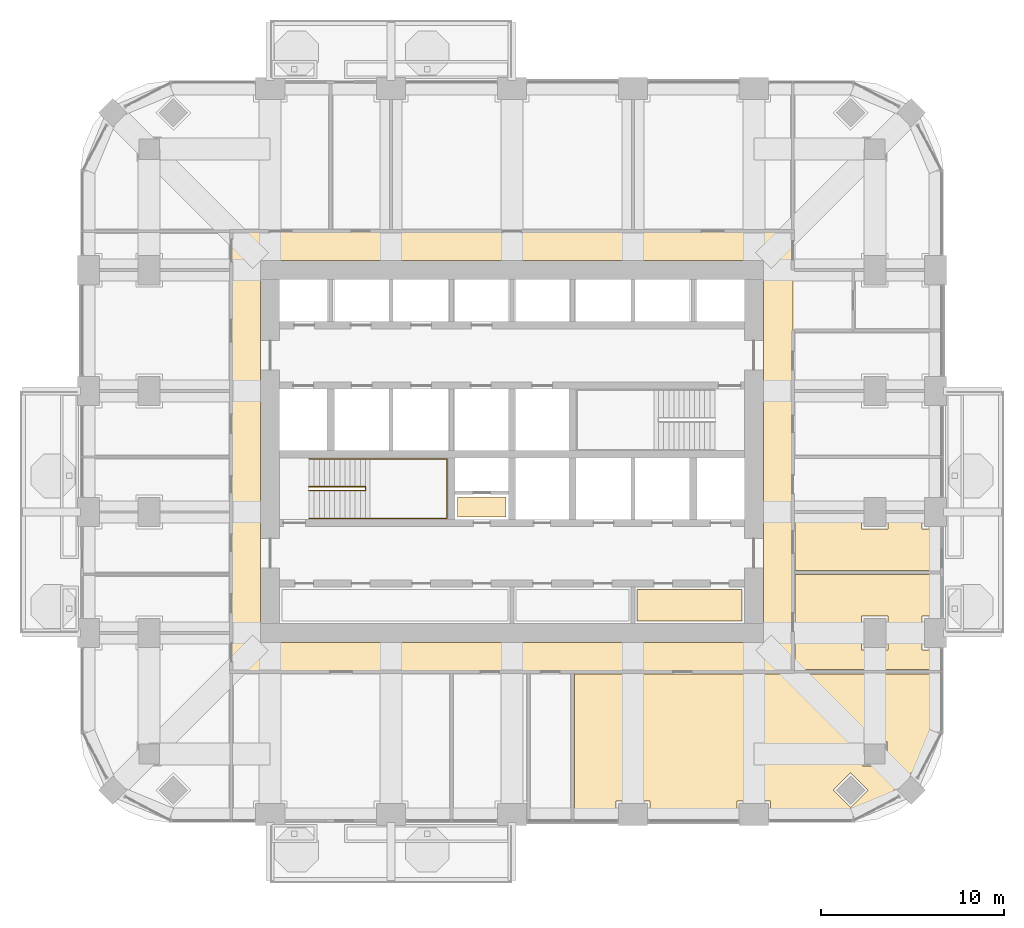
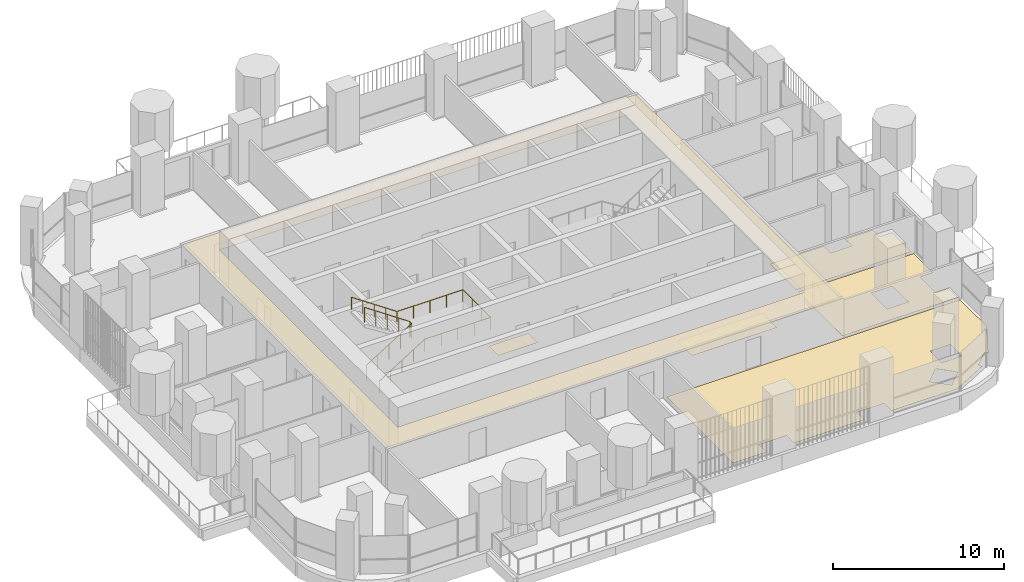
# One storey, part 17 of 20: 6 coverings, 2 railings.
"""IFC4 building model written with IfcOpenShell, lengths in metres."""

from ifc_helpers import new_model, si_unit, direction, frame, origin, place, context, subcontext, project, spatial, polyline, outline, extrude, material, layer, layer_set, type_object, element, save


model = new_model("IFC4")

# Units and contexts
model_context = context("Model", 3, precision=1e-05, world=origin(), true_north=direction((0.0, 1.0)))
body_context = subcontext(model_context, "Body", "Model", "MODEL_VIEW")
ifc_project = project(units=[si_unit("LENGTHUNIT", "METRE"), si_unit("AREAUNIT", "SQUARE_METRE"), si_unit("VOLUMEUNIT", "CUBIC_METRE"), si_unit("PLANEANGLEUNIT", "RADIAN"), si_unit("MASSUNIT", "GRAM", prefix="KILO")], contexts=[model_context])

# Site, building, storey
site_placement = place(None, origin())
site = spatial("IfcSite", under=ifc_project, at=site_placement, CompositionType="ELEMENT")
building_placement = place(site_placement, origin())
building = spatial("IfcBuilding", under=site, at=building_placement, Name="Cobogo Forest Laboratory Tower", CompositionType="ELEMENT")
storey_placement = place(building_placement, frame((0.0, 0.0, 193.5)))
storey = spatial("IfcBuildingStorey", under=building, at=storey_placement, Name="L44", CompositionType="ELEMENT", Elevation=193.5)

# Coverings
ifc_material_1 = material(Name="Mineral fibre ceiling tile", Category="ceiling")
ifc_layer_1 = layer(ifc_material_1, 0.02001953125)
ifc_layer_set_1 = layer_set([ifc_layer_1], Name="CL1 suspended ceiling")
covering_type_1 = type_object("IfcCoveringType", Name="CL1 suspended ceiling", PredefinedType="CEILING", material=ifc_layer_set_1)
covering_1_placement = place(storey_placement, frame((0.0, 0.0, 2.800048828125)))
element("IfcCovering", 1, at=covering_1_placement, inside=storey, type_object=covering_type_1, Name="Corridor ceiling L44", PredefinedType="CEILING", context=body_context, shape_type="SweptSolid", body=[
    extrude(outline(polyline([(11.074951171875, 11.074951171875), (11.074951171875, 35.125), (41.72509765625, 35.125), (41.72509765625, 11.074951171875), (11.074951171875, 11.074951171875)]), holes=[polyline([(40.125, 33.52490234375), (12.675048828125, 33.52490234375), (12.675048828125, 12.675048828125), (40.125, 12.675048828125), (40.125, 33.52490234375)])]), origin(), (0.0, 0.0, 1.0), 0.02001953125),
])
ifc_material_2 = material(Name="Carpet tile on raised access floor", Category="flooring")
ifc_layer_2 = layer(ifc_material_2, 0.008056640625)
ifc_layer_set_2 = layer_set([ifc_layer_2], Name="CT1 carpet tile floor 8")
covering_type_2 = type_object("IfcCoveringType", Name="CT1 carpet tile floor 8", PredefinedType="FLOORING", material=ifc_layer_set_2)
covering_2_placement = place(storey_placement, origin())
element("IfcCovering", 2, at=covering_2_placement, inside=storey, type_object=covering_type_2, Name="Carpet floor L44-04", PredefinedType="FLOORING", context=body_context, shape_type="SweptSolid", body=[
    extrude(outline(polyline([(49.64990234375, 10.955078125), (49.64990234375, 7.84912109375), (48.359619140625, 5.387939453125), (48.181884765625, 5.5654296875), (47.234375, 4.617919921875), (47.412109375, 4.440185546875), (44.95068359375, 3.14990234375), (40.52001953125, 3.14990234375), (40.52001953125, 4.02001953125), (38.679931640625, 4.02001953125), (38.679931640625, 3.14990234375), (33.919921875, 3.14990234375), (33.919921875, 4.02001953125), (32.080078125, 4.02001953125), (32.080078125, 3.14990234375), (29.820068359375, 3.14990234375), (29.820068359375, 10.955078125), (49.64990234375, 10.955078125)]), holes=[polyline([(45.530029296875, 5.929931640625), (46.8701171875, 5.929931640625), (46.8701171875, 7.27001953125), (45.530029296875, 7.27001953125), (45.530029296875, 5.929931640625)]), polyline([(44.882080078125, 3.67041015625), (45.82958984375, 4.617919921875), (44.882080078125, 5.5654296875), (43.9345703125, 4.617919921875), (44.882080078125, 3.67041015625)])]), origin(), (0.0, 0.0, 1.0), 0.008056640625),
])
covering_3_placement = place(storey_placement, origin())
element("IfcCovering", 3, at=covering_3_placement, inside=storey, type_object=covering_type_2, Name="Carpet floor L44-05", PredefinedType="FLOORING", context=body_context, shape_type="SweptSolid", body=[
    extrude(outline(polyline([(41.844970703125, 16.3798828125), (49.64990234375, 16.3798828125), (49.64990234375, 14.1201171875), (48.780029296875, 14.1201171875), (48.780029296875, 12.280029296875), (49.64990234375, 12.280029296875), (49.64990234375, 11.195068359375), (41.844970703125, 11.195068359375), (41.844970703125, 16.3798828125)]), holes=[polyline([(46.919921875, 12.280029296875), (46.919921875, 14.1201171875), (45.47998046875, 14.1201171875), (45.47998046875, 12.280029296875), (46.919921875, 12.280029296875)])]), origin(), (0.0, 0.0, 1.0), 0.008056640625),
])
covering_4_placement = place(storey_placement, origin())
element("IfcCovering", 4, at=covering_4_placement, inside=storey, type_object=covering_type_2, Name="Carpet floor L44-28", PredefinedType="FLOORING", context=body_context, shape_type="SweptSolid", body=[
    extrude(outline(polyline([(26.080078125, 19.52001953125), (23.419921875, 19.52001953125), (23.419921875, 20.6298828125), (26.080078125, 20.6298828125), (26.080078125, 19.52001953125)])), origin(), (0.0, 0.0, 1.0), 0.008056640625),
])
covering_5_placement = place(storey_placement, origin())
element("IfcCovering", 5, at=covering_5_placement, inside=storey, type_object=covering_type_2, Name="Carpet floor L44-33", PredefinedType="FLOORING", context=body_context, shape_type="SweptSolid", body=[
    extrude(outline(polyline([(38.955078125, 13.844970703125), (33.219970703125, 13.844970703125), (33.219970703125, 15.580078125), (38.955078125, 15.580078125), (38.955078125, 13.844970703125)])), origin(), (0.0, 0.0, 1.0), 0.008056640625),
])

# Railings
ifc_material_3 = material(Name="Steel balustrade", Category="steel")
railing_type_1 = type_object("IfcRailingType", Name="GR stair guard 1100", PredefinedType="GUARDRAIL", material=ifc_material_3)
railing_1_placement = place(storey_placement, frame((15.324951171875, 20.969970703125, 0.175048828125)))
element("IfcRailing", 6, at=railing_1_placement, inside=storey, type_object=railing_type_1, Name="Stair guard ST1 L44", PredefinedType="GUARDRAIL", context=body_context, shape_type="SweptSolid", body=[
    extrude(outline(polyline([(0.022216796875, 0.00927734375), (0.00927734375, 0.022216796875), (-0.00927734375, 0.022216796875), (-0.022216796875, 0.00927734375), (-0.022216796875, -0.00927734375), (-0.00927734375, -0.022216796875), (0.00927734375, -0.022216796875), (0.022216796875, -0.00927734375), (0.022216796875, 0.00927734375)])), frame((0.0, 0.0, 1.077880859375), z_axis=(0.847998304005, 0.0, 0.529998940003), x_axis=(0.0, 1.0, 0.0)), (0.0, 0.0, 1.0), 3.632080078125),
    extrude(outline(polyline([(0.022216796875, 0.00927734375), (0.00927734375, 0.022216796875), (-0.00927734375, 0.022216796875), (-0.022216796875, 0.00927734375), (-0.022216796875, -0.00927734375), (-0.00927734375, -0.022216796875), (0.00927734375, -0.022216796875), (0.022216796875, -0.00927734375), (0.022216796875, 0.00927734375)])), frame((3.080078125, 0.0, 3.0029296875), z_axis=(0.0, 1.0, 0.0), x_axis=(-1.0, 0.0, 0.0)), (0.0, 0.0, 1.0), 0.2099609375),
    extrude(outline(polyline([(0.022216796875, 0.00927734375), (0.00927734375, 0.022216796875), (-0.00927734375, 0.022216796875), (-0.022216796875, 0.00927734375), (-0.022216796875, -0.00927734375), (-0.00927734375, -0.022216796875), (0.00927734375, -0.022216796875), (0.022216796875, -0.00927734375), (0.022216796875, 0.00927734375)])), frame((3.080078125, 0.2099609375, 3.0029296875), z_axis=(-0.826252282691, 0.0, 0.563300244406), x_axis=(0.0, -1.0, 0.0)), (0.0, 0.0, 1.0), 3.727783203125),
    extrude(outline(polyline([(0.019287109375, 0.008056640625), (0.008056640625, 0.019287109375), (-0.008056640625, 0.019287109375), (-0.019287109375, 0.008056640625), (-0.019287109375, -0.008056640625), (-0.008056640625, -0.019287109375), (0.008056640625, -0.019287109375), (0.019287109375, -0.008056640625), (0.019287109375, 0.008056640625)])), origin(), (0.0, 0.0, 1.0), 1.077880859375),
    extrude(outline(polyline([(0.019287109375, 0.008056640625), (0.008056640625, 0.019287109375), (-0.008056640625, 0.019287109375), (-0.019287109375, 0.008056640625), (-0.019287109375, -0.008056640625), (-0.008056640625, -0.019287109375), (0.008056640625, -0.019287109375), (0.019287109375, -0.008056640625), (0.019287109375, 0.008056640625)])), frame((0.77001953125, 0.0, 0.481201171875)), (0.0, 0.0, 1.0), 1.077880859375),
    extrude(outline(polyline([(0.019287109375, 0.008056640625), (0.008056640625, 0.019287109375), (-0.008056640625, 0.019287109375), (-0.019287109375, 0.008056640625), (-0.019287109375, -0.008056640625), (-0.008056640625, -0.019287109375), (0.008056640625, -0.019287109375), (0.019287109375, -0.008056640625), (0.019287109375, 0.008056640625)])), frame((1.5400390625, 0.0, 0.96240234375)), (0.0, 0.0, 1.0), 1.077880859375),
    extrude(outline(polyline([(0.019287109375, 0.008056640625), (0.008056640625, 0.019287109375), (-0.008056640625, 0.019287109375), (-0.019287109375, 0.008056640625), (-0.019287109375, -0.008056640625), (-0.008056640625, -0.019287109375), (0.008056640625, -0.019287109375), (0.019287109375, -0.008056640625), (0.019287109375, 0.008056640625)])), frame((2.31005859375, 0.0, 1.44384765625)), (0.0, 0.0, 1.0), 1.077880859375),
    extrude(outline(polyline([(0.019287109375, 0.008056640625), (0.008056640625, 0.019287109375), (-0.008056640625, 0.019287109375), (-0.019287109375, 0.008056640625), (-0.019287109375, -0.008056640625), (-0.008056640625, -0.019287109375), (0.008056640625, -0.019287109375), (0.019287109375, -0.008056640625), (0.019287109375, 0.008056640625)])), frame((3.080078125, 0.0, 1.925048828125)), (0.0, 0.0, 1.0), 1.077880859375),
    extrude(outline(polyline([(0.019287109375, 0.008056640625), (0.008056640625, 0.019287109375), (-0.008056640625, 0.019287109375), (-0.019287109375, 0.008056640625), (-0.019287109375, -0.008056640625), (-0.008056640625, -0.019287109375), (0.008056640625, -0.019287109375), (0.019287109375, -0.008056640625), (0.019287109375, 0.008056640625)])), frame((3.080078125, 0.2099609375, 1.925048828125)), (0.0, 0.0, 1.0), 1.077880859375),
    extrude(outline(polyline([(0.019287109375, 0.008056640625), (0.008056640625, 0.019287109375), (-0.008056640625, 0.019287109375), (-0.019287109375, 0.008056640625), (-0.019287109375, -0.008056640625), (-0.008056640625, -0.019287109375), (0.008056640625, -0.019287109375), (0.019287109375, -0.008056640625), (0.019287109375, 0.008056640625)])), frame((2.31005859375, 0.2099609375, 2.449951171875)), (0.0, 0.0, 1.0), 1.077880859375),
    extrude(outline(polyline([(0.019287109375, 0.008056640625), (0.008056640625, 0.019287109375), (-0.008056640625, 0.019287109375), (-0.019287109375, 0.008056640625), (-0.019287109375, -0.008056640625), (-0.008056640625, -0.019287109375), (0.008056640625, -0.019287109375), (0.019287109375, -0.008056640625), (0.019287109375, 0.008056640625)])), frame((1.5400390625, 0.2099609375, 2.97509765625)), (0.0, 0.0, 1.0), 1.077880859375),
    extrude(outline(polyline([(0.019287109375, 0.008056640625), (0.008056640625, 0.019287109375), (-0.008056640625, 0.019287109375), (-0.019287109375, 0.008056640625), (-0.019287109375, -0.008056640625), (-0.008056640625, -0.019287109375), (0.008056640625, -0.019287109375), (0.019287109375, -0.008056640625), (0.019287109375, 0.008056640625)])), frame((0.77001953125, 0.2099609375, 3.5)), (0.0, 0.0, 1.0), 1.077880859375),
    extrude(outline(polyline([(0.019287109375, 0.008056640625), (0.008056640625, 0.019287109375), (-0.008056640625, 0.019287109375), (-0.019287109375, 0.008056640625), (-0.019287109375, -0.008056640625), (-0.008056640625, -0.019287109375), (0.008056640625, -0.019287109375), (0.019287109375, -0.008056640625), (0.019287109375, 0.008056640625)])), frame((0.0, 0.2099609375, 4.02490234375)), (0.0, 0.0, 1.0), 1.077880859375),
])
ifc_material_4 = material(Name="Stainless steel handrail", Category="steel")
railing_type_2 = type_object("IfcRailingType", Name="HR handrail 900", PredefinedType="HANDRAIL", material=ifc_material_4)
railing_2_placement = place(storey_placement, frame((15.324951171875, 19.449951171875, 0.175048828125)))
element("IfcRailing", 7, at=railing_2_placement, inside=storey, type_object=railing_type_2, Name="Stair handrail ST1 L44", PredefinedType="HANDRAIL", context=body_context, shape_type="SweptSolid", body=[
    extrude(outline(polyline([(0.022216796875, 0.00927734375), (0.00927734375, 0.022216796875), (-0.00927734375, 0.022216796875), (-0.022216796875, 0.00927734375), (-0.022216796875, -0.00927734375), (-0.00927734375, -0.022216796875), (0.00927734375, -0.022216796875), (0.022216796875, -0.00927734375), (0.022216796875, 0.00927734375)])), frame((0.0, 0.0, 0.877685546875), z_axis=(0.847998304005, 0.0, 0.529998940003), x_axis=(0.0, 1.0, 0.0)), (0.0, 0.0, 1.0), 3.632080078125),
    extrude(outline(polyline([(0.022216796875, 0.00927734375), (0.00927734375, 0.022216796875), (-0.00927734375, 0.022216796875), (-0.022216796875, 0.00927734375), (-0.022216796875, -0.00927734375), (-0.00927734375, -0.022216796875), (0.00927734375, -0.022216796875), (0.022216796875, -0.00927734375), (0.022216796875, 0.00927734375)])), frame((3.080078125, 0.0, 2.802734375), z_axis=(1.0, 0.0, 0.0), x_axis=(0.0, 1.0, 0.0)), (0.0, 0.0, 1.0), 4.445068359375),
    extrude(outline(polyline([(0.022216796875, 0.00927734375), (0.00927734375, 0.022216796875), (-0.00927734375, 0.022216796875), (-0.022216796875, 0.00927734375), (-0.022216796875, -0.00927734375), (-0.00927734375, -0.022216796875), (0.00927734375, -0.022216796875), (0.022216796875, -0.00927734375), (0.022216796875, 0.00927734375)])), frame((7.525146484375, 0.0, 2.802734375), z_axis=(0.0, 1.0, 0.0), x_axis=(-1.0, 0.0, 0.0)), (0.0, 0.0, 1.0), 3.25),
    extrude(outline(polyline([(0.022216796875, 0.00927734375), (0.00927734375, 0.022216796875), (-0.00927734375, 0.022216796875), (-0.022216796875, 0.00927734375), (-0.022216796875, -0.00927734375), (-0.00927734375, -0.022216796875), (0.00927734375, -0.022216796875), (0.022216796875, -0.00927734375), (0.022216796875, 0.00927734375)])), frame((7.525146484375, 3.25, 2.802734375), z_axis=(-1.0, 0.0, 0.0), x_axis=(0.0, -1.0, 0.0)), (0.0, 0.0, 1.0), 4.445068359375),
    extrude(outline(polyline([(0.022216796875, 0.00927734375), (0.00927734375, 0.022216796875), (-0.00927734375, 0.022216796875), (-0.022216796875, 0.00927734375), (-0.022216796875, -0.00927734375), (-0.00927734375, -0.022216796875), (0.00927734375, -0.022216796875), (0.022216796875, -0.00927734375), (0.022216796875, 0.00927734375)])), frame((3.080078125, 3.25, 2.802734375), z_axis=(-0.826252282691, 0.0, 0.563300244406), x_axis=(0.0, -1.0, 0.0)), (0.0, 0.0, 1.0), 3.727783203125),
    extrude(outline(polyline([(0.019287109375, 0.008056640625), (0.008056640625, 0.019287109375), (-0.008056640625, 0.019287109375), (-0.019287109375, 0.008056640625), (-0.019287109375, -0.008056640625), (-0.008056640625, -0.019287109375), (0.008056640625, -0.019287109375), (0.019287109375, -0.008056640625), (0.019287109375, 0.008056640625)])), origin(), (0.0, 0.0, 1.0), 0.877685546875),
    extrude(outline(polyline([(0.019287109375, 0.008056640625), (0.008056640625, 0.019287109375), (-0.008056640625, 0.019287109375), (-0.019287109375, 0.008056640625), (-0.019287109375, -0.008056640625), (-0.008056640625, -0.019287109375), (0.008056640625, -0.019287109375), (0.019287109375, -0.008056640625), (0.019287109375, 0.008056640625)])), frame((0.77001953125, 0.0, 0.481201171875)), (0.0, 0.0, 1.0), 0.877685546875),
    extrude(outline(polyline([(0.019287109375, 0.008056640625), (0.008056640625, 0.019287109375), (-0.008056640625, 0.019287109375), (-0.019287109375, 0.008056640625), (-0.019287109375, -0.008056640625), (-0.008056640625, -0.019287109375), (0.008056640625, -0.019287109375), (0.019287109375, -0.008056640625), (0.019287109375, 0.008056640625)])), frame((1.5400390625, 0.0, 0.96240234375)), (0.0, 0.0, 1.0), 0.877685546875),
    extrude(outline(polyline([(0.019287109375, 0.008056640625), (0.008056640625, 0.019287109375), (-0.008056640625, 0.019287109375), (-0.019287109375, 0.008056640625), (-0.019287109375, -0.008056640625), (-0.008056640625, -0.019287109375), (0.008056640625, -0.019287109375), (0.019287109375, -0.008056640625), (0.019287109375, 0.008056640625)])), frame((2.31005859375, 0.0, 1.44384765625)), (0.0, 0.0, 1.0), 0.877685546875),
    extrude(outline(polyline([(0.019287109375, 0.008056640625), (0.008056640625, 0.019287109375), (-0.008056640625, 0.019287109375), (-0.019287109375, 0.008056640625), (-0.019287109375, -0.008056640625), (-0.008056640625, -0.019287109375), (0.008056640625, -0.019287109375), (0.019287109375, -0.008056640625), (0.019287109375, 0.008056640625)])), frame((3.080078125, 0.0, 1.925048828125)), (0.0, 0.0, 1.0), 0.877685546875),
    extrude(outline(polyline([(0.019287109375, 0.008056640625), (0.008056640625, 0.019287109375), (-0.008056640625, 0.019287109375), (-0.019287109375, 0.008056640625), (-0.019287109375, -0.008056640625), (-0.008056640625, -0.019287109375), (0.008056640625, -0.019287109375), (0.019287109375, -0.008056640625), (0.019287109375, 0.008056640625)])), frame((4.19140625, 0.0, 1.925048828125)), (0.0, 0.0, 1.0), 0.877685546875),
    extrude(outline(polyline([(0.019287109375, 0.008056640625), (0.008056640625, 0.019287109375), (-0.008056640625, 0.019287109375), (-0.019287109375, 0.008056640625), (-0.019287109375, -0.008056640625), (-0.008056640625, -0.019287109375), (0.008056640625, -0.019287109375), (0.019287109375, -0.008056640625), (0.019287109375, 0.008056640625)])), frame((5.302734375, 0.0, 1.925048828125)), (0.0, 0.0, 1.0), 0.877685546875),
    extrude(outline(polyline([(0.019287109375, 0.008056640625), (0.008056640625, 0.019287109375), (-0.008056640625, 0.019287109375), (-0.019287109375, 0.008056640625), (-0.019287109375, -0.008056640625), (-0.008056640625, -0.019287109375), (0.008056640625, -0.019287109375), (0.019287109375, -0.008056640625), (0.019287109375, 0.008056640625)])), frame((6.413818359375, 0.0, 1.925048828125)), (0.0, 0.0, 1.0), 0.877685546875),
    extrude(outline(polyline([(0.019287109375, 0.008056640625), (0.008056640625, 0.019287109375), (-0.008056640625, 0.019287109375), (-0.019287109375, 0.008056640625), (-0.019287109375, -0.008056640625), (-0.008056640625, -0.019287109375), (0.008056640625, -0.019287109375), (0.019287109375, -0.008056640625), (0.019287109375, 0.008056640625)])), frame((7.525146484375, 0.0, 1.925048828125)), (0.0, 0.0, 1.0), 0.877685546875),
    extrude(outline(polyline([(0.019287109375, 0.008056640625), (0.008056640625, 0.019287109375), (-0.008056640625, 0.019287109375), (-0.019287109375, 0.008056640625), (-0.019287109375, -0.008056640625), (-0.008056640625, -0.019287109375), (0.008056640625, -0.019287109375), (0.019287109375, -0.008056640625), (0.019287109375, 0.008056640625)])), frame((7.525146484375, 1.083251953125, 1.925048828125)), (0.0, 0.0, 1.0), 0.877685546875),
    extrude(outline(polyline([(0.019287109375, 0.008056640625), (0.008056640625, 0.019287109375), (-0.008056640625, 0.019287109375), (-0.019287109375, 0.008056640625), (-0.019287109375, -0.008056640625), (-0.008056640625, -0.019287109375), (0.008056640625, -0.019287109375), (0.019287109375, -0.008056640625), (0.019287109375, 0.008056640625)])), frame((7.525146484375, 2.166748046875, 1.925048828125)), (0.0, 0.0, 1.0), 0.877685546875),
    extrude(outline(polyline([(0.019287109375, 0.008056640625), (0.008056640625, 0.019287109375), (-0.008056640625, 0.019287109375), (-0.019287109375, 0.008056640625), (-0.019287109375, -0.008056640625), (-0.008056640625, -0.019287109375), (0.008056640625, -0.019287109375), (0.019287109375, -0.008056640625), (0.019287109375, 0.008056640625)])), frame((7.525146484375, 3.25, 1.925048828125)), (0.0, 0.0, 1.0), 0.877685546875),
    extrude(outline(polyline([(0.019287109375, 0.008056640625), (0.008056640625, 0.019287109375), (-0.008056640625, 0.019287109375), (-0.019287109375, 0.008056640625), (-0.019287109375, -0.008056640625), (-0.008056640625, -0.019287109375), (0.008056640625, -0.019287109375), (0.019287109375, -0.008056640625), (0.019287109375, 0.008056640625)])), frame((6.413818359375, 3.25, 1.925048828125)), (0.0, 0.0, 1.0), 0.877685546875),
    extrude(outline(polyline([(0.019287109375, 0.008056640625), (0.008056640625, 0.019287109375), (-0.008056640625, 0.019287109375), (-0.019287109375, 0.008056640625), (-0.019287109375, -0.008056640625), (-0.008056640625, -0.019287109375), (0.008056640625, -0.019287109375), (0.019287109375, -0.008056640625), (0.019287109375, 0.008056640625)])), frame((5.302734375, 3.25, 1.925048828125)), (0.0, 0.0, 1.0), 0.877685546875),
    extrude(outline(polyline([(0.019287109375, 0.008056640625), (0.008056640625, 0.019287109375), (-0.008056640625, 0.019287109375), (-0.019287109375, 0.008056640625), (-0.019287109375, -0.008056640625), (-0.008056640625, -0.019287109375), (0.008056640625, -0.019287109375), (0.019287109375, -0.008056640625), (0.019287109375, 0.008056640625)])), frame((4.19140625, 3.25, 1.925048828125)), (0.0, 0.0, 1.0), 0.877685546875),
    extrude(outline(polyline([(0.019287109375, 0.008056640625), (0.008056640625, 0.019287109375), (-0.008056640625, 0.019287109375), (-0.019287109375, 0.008056640625), (-0.019287109375, -0.008056640625), (-0.008056640625, -0.019287109375), (0.008056640625, -0.019287109375), (0.019287109375, -0.008056640625), (0.019287109375, 0.008056640625)])), frame((3.080078125, 3.25, 1.925048828125)), (0.0, 0.0, 1.0), 0.877685546875),
    extrude(outline(polyline([(0.019287109375, 0.008056640625), (0.008056640625, 0.019287109375), (-0.008056640625, 0.019287109375), (-0.019287109375, 0.008056640625), (-0.019287109375, -0.008056640625), (-0.008056640625, -0.019287109375), (0.008056640625, -0.019287109375), (0.019287109375, -0.008056640625), (0.019287109375, 0.008056640625)])), frame((2.31005859375, 3.25, 2.449951171875)), (0.0, 0.0, 1.0), 0.877685546875),
    extrude(outline(polyline([(0.019287109375, 0.008056640625), (0.008056640625, 0.019287109375), (-0.008056640625, 0.019287109375), (-0.019287109375, 0.008056640625), (-0.019287109375, -0.008056640625), (-0.008056640625, -0.019287109375), (0.008056640625, -0.019287109375), (0.019287109375, -0.008056640625), (0.019287109375, 0.008056640625)])), frame((1.5400390625, 3.25, 2.97509765625)), (0.0, 0.0, 1.0), 0.877685546875),
    extrude(outline(polyline([(0.019287109375, 0.008056640625), (0.008056640625, 0.019287109375), (-0.008056640625, 0.019287109375), (-0.019287109375, 0.008056640625), (-0.019287109375, -0.008056640625), (-0.008056640625, -0.019287109375), (0.008056640625, -0.019287109375), (0.019287109375, -0.008056640625), (0.019287109375, 0.008056640625)])), frame((0.77001953125, 3.25, 3.5)), (0.0, 0.0, 1.0), 0.877685546875),
    extrude(outline(polyline([(0.019287109375, 0.008056640625), (0.008056640625, 0.019287109375), (-0.008056640625, 0.019287109375), (-0.019287109375, 0.008056640625), (-0.019287109375, -0.008056640625), (-0.008056640625, -0.019287109375), (0.008056640625, -0.019287109375), (0.019287109375, -0.008056640625), (0.019287109375, 0.008056640625)])), frame((0.0, 3.25, 4.02490234375)), (0.0, 0.0, 1.0), 0.877685546875),
])

# Covering
ifc_material_5 = material(Name="Static-dissipative vinyl flooring", Category="flooring")
ifc_layer_3 = layer(ifc_material_5, 0.0029296875)
ifc_layer_set_3 = layer_set([ifc_layer_3], Name="SD1 static-dissipative vinyl floor 3")
covering_type_3 = type_object("IfcCoveringType", Name="SD1 static-dissipative vinyl floor 3", PredefinedType="FLOORING", material=ifc_layer_set_3)
covering_6_placement = place(storey_placement, origin())
element("IfcCovering", 8, at=covering_6_placement, inside=storey, type_object=covering_type_3, Name="Static-dissipative floor L44-06", PredefinedType="FLOORING", context=body_context, shape_type="SweptSolid", body=[
    extrude(outline(polyline([(41.844970703125, 19.679931640625), (45.47998046875, 19.679931640625), (45.47998046875, 18.8798828125), (46.919921875, 18.8798828125), (46.919921875, 19.679931640625), (48.780029296875, 19.679931640625), (48.780029296875, 18.8798828125), (49.64990234375, 18.8798828125), (49.64990234375, 16.6201171875), (41.844970703125, 16.6201171875), (41.844970703125, 19.679931640625)])), origin(), (0.0, 0.0, 1.0), 0.0029296875),
])

save(model, "model.ifc")
